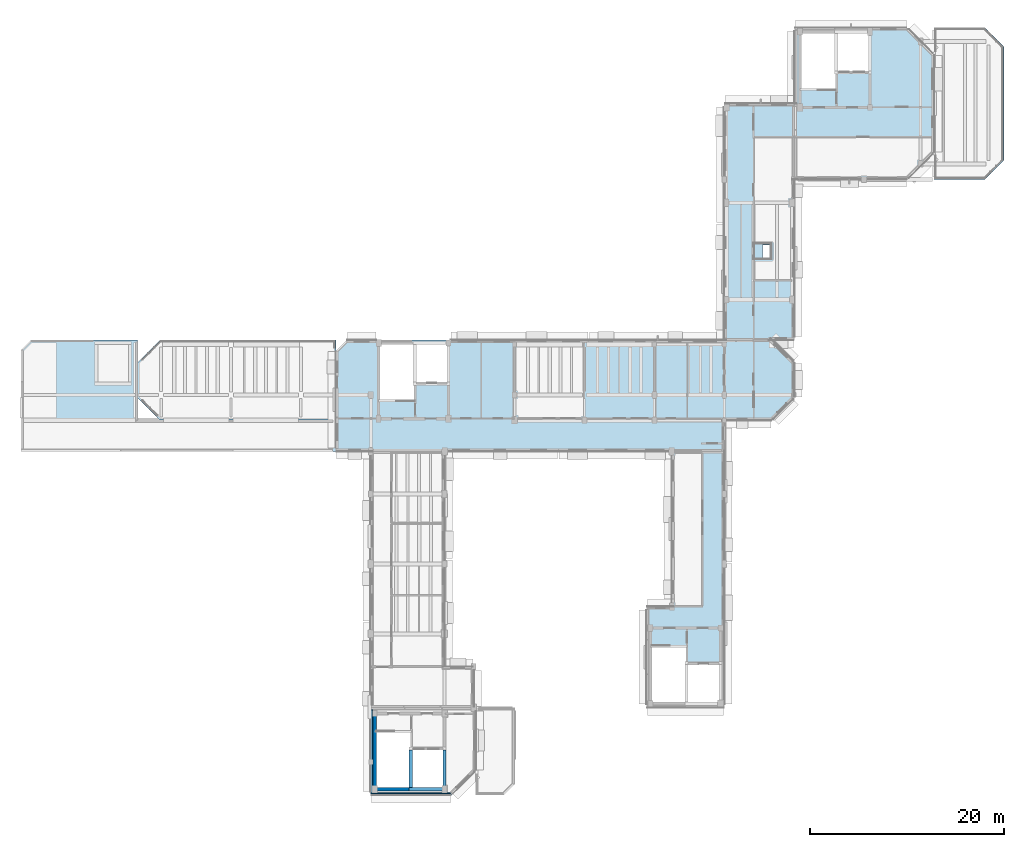
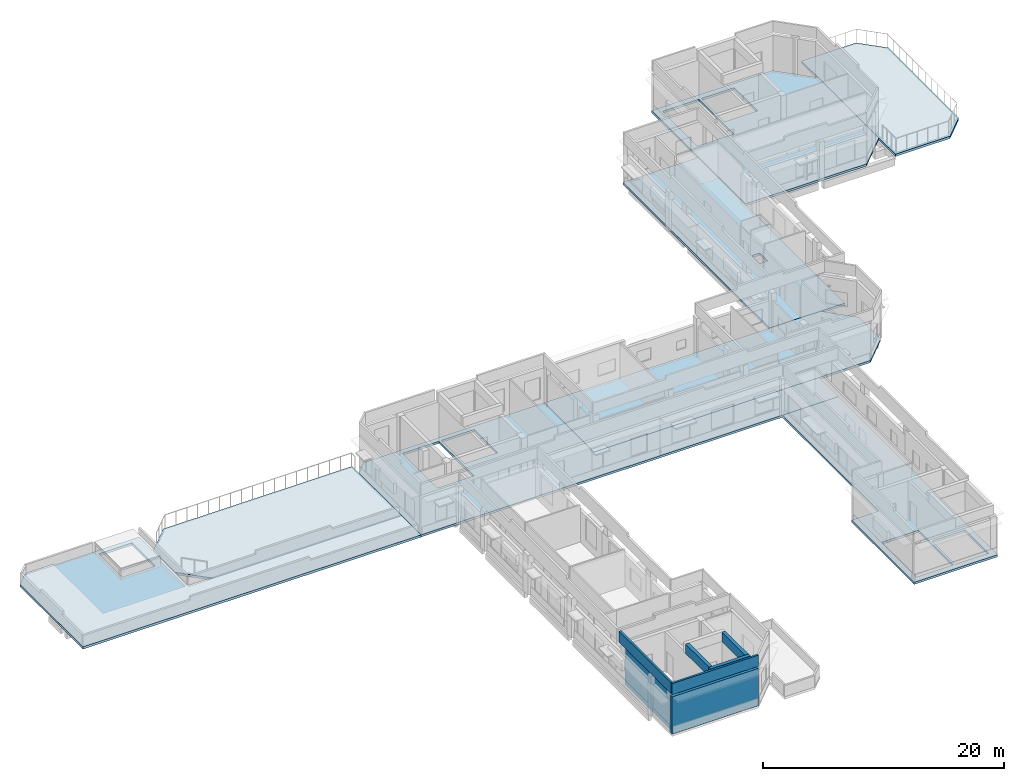
# One storey, part 5 of 17: 8 slabs, 8 walls.
"""IFC4 building model written with IfcOpenShell, lengths in metres."""

from ifc_helpers import new_model, si_unit, direction, frame, frame_2d, origin, place, context, subcontext, project, spatial, polyline, rectangle, outline, extrude, material, layer, layer_set, type_object, element, save


model = new_model("IFC4")

# Units and contexts
model_context = context("Model", 3, precision=1e-05, world=origin(), true_north=direction((0.0, 1.0)))
body_context = subcontext(model_context, "Body", "Model", "MODEL_VIEW")
ifc_project = project(units=[si_unit("LENGTHUNIT", "METRE"), si_unit("AREAUNIT", "SQUARE_METRE"), si_unit("VOLUMEUNIT", "CUBIC_METRE"), si_unit("PLANEANGLEUNIT", "RADIAN"), si_unit("MASSUNIT", "GRAM", prefix="KILO")], contexts=[model_context])

# Site, building, storey
site_placement = place(None, origin())
site = spatial("IfcSite", under=ifc_project, at=site_placement, CompositionType="ELEMENT")
building_placement = place(site_placement, origin())
building = spatial("IfcBuilding", under=site, at=building_placement, Name="Kelanivale Promenade Academy", CompositionType="ELEMENT")
storey_placement = place(building_placement, frame((0.0, 0.0, 20.199951171875)))
storey = spatial("IfcBuildingStorey", under=building, at=storey_placement, Name="L05", CompositionType="ELEMENT", Elevation=20.199951171875)

# Slabs
ifc_material_1 = material(Name="Concrete C35/45", Category="concrete")
ifc_layer_1 = layer(ifc_material_1, 0.219970703125)
ifc_layer_set_1 = layer_set([ifc_layer_1], Name="Concrete C35/45")
slab_type_1 = type_object("IfcSlabType", Name="FS-01 Slab 220mm", PredefinedType="FLOOR", material=ifc_layer_set_1)
slab_1_placement = place(storey_placement, frame((0.0, 0.0, -0.219970703125)))
element("IfcSlab", 1, at=slab_1_placement, inside=storey, type_object=slab_type_1, Name="L05 structural slab SLB-L05-V4EC", PredefinedType="FLOOR", context=body_context, shape_type="SweptSolid", body=[
    extrude(outline(polyline([(107.60009765625, 52.39990234375), (107.60009765625, 42.0), (115.60009765625, 42.0), (115.60009765625, 68.39990234375), (110.199951171875, 68.39990234375), (110.199951171875, 52.39990234375), (107.60009765625, 52.39990234375)]), holes=[polyline([(115.034912109375, 42.56494140625), (111.885009765625, 42.56494140625), (111.885009765625, 46.425048828125), (115.034912109375, 46.425048828125), (115.034912109375, 42.56494140625)]), polyline([(111.6650390625, 48.344970703125), (111.6650390625, 42.56494140625), (108.1650390625, 42.56494140625), (108.1650390625, 48.344970703125), (111.6650390625, 48.344970703125)])]), origin(), (0.0, 0.0, 1.0), 0.219970703125),
])
slab_2_placement = place(storey_placement, frame((0.0, 0.0, -0.219970703125)))
element("IfcSlab", 2, at=slab_2_placement, inside=storey, type_object=slab_type_1, Name="L05 structural slab SLB-L05-V4N", PredefinedType="FLOOR", context=body_context, shape_type="SweptSolid", body=[
    extrude(outline(polyline([(75.60009765625, 68.39990234375), (115.60009765625, 68.39990234375), (115.60009765625, 71.60009765625), (94.0, 71.60009765625), (94.0, 79.85009765625), (76.699951171875, 79.85009765625), (75.60009765625, 78.75), (75.60009765625, 68.39990234375)]), holes=[polyline([(83.885009765625, 79.385009765625), (87.034912109375, 79.385009765625), (87.034912109375, 75.52490234375), (83.885009765625, 75.52490234375), (83.885009765625, 79.385009765625)]), polyline([(83.6650390625, 79.385009765625), (83.6650390625, 73.60498046875), (80.1650390625, 73.60498046875), (80.1650390625, 79.385009765625), (83.6650390625, 79.385009765625)])]), origin(), (0.0, 0.0, 1.0), 0.219970703125),
])
slab_3_placement = place(storey_placement, frame((0.0, 0.0, -0.219970703125)))
element("IfcSlab", 3, at=slab_3_placement, inside=storey, type_object=slab_type_1, Name="L05 structural slab SLB-L05-V5C", PredefinedType="FLOOR", context=body_context, shape_type="SweptSolid", body=[
    extrude(outline(polyline([(94.0, 79.85009765625), (94.0, 71.60009765625), (120.489990234375, 71.60009765625), (122.800048828125, 73.909912109375), (122.800048828125, 77.5400390625), (120.489990234375, 79.85009765625), (94.0, 79.85009765625)])), origin(), (0.0, 0.0, 1.0), 0.219970703125),
])
slab_4_placement = place(storey_placement, frame((0.0, 0.0, -0.219970703125)))
element("IfcSlab", 4, at=slab_4_placement, inside=storey, type_object=slab_type_1, Name="L05 structural slab SLB-L05-V5K", PredefinedType="FLOOR", context=body_context, shape_type="SweptSolid", body=[
    extrude(outline(polyline([(122.800048828125, 79.85009765625), (122.800048828125, 104.199951171875), (115.60009765625, 104.199951171875), (115.60009765625, 79.85009765625), (122.800048828125, 79.85009765625)]), holes=[polyline([(120.320068359375, 89.64990234375), (120.320068359375, 88.35009765625), (119.550048828125, 88.35009765625), (119.550048828125, 89.64990234375), (120.320068359375, 89.64990234375)])]), origin(), (0.0, 0.0, 1.0), 0.219970703125),
])
slab_5_placement = place(storey_placement, frame((0.0, 0.0, -0.219970703125)))
element("IfcSlab", 5, at=slab_5_placement, inside=storey, type_object=slab_type_1, Name="L05 structural slab SLB-L05-V5M", PredefinedType="FLOOR", context=body_context, shape_type="SweptSolid", body=[
    extrude(outline(polyline([(122.85009765625, 112.0), (122.85009765625, 96.39990234375), (134.44091796875, 96.39990234375), (137.199951171875, 99.158935546875), (137.199951171875, 109.240966796875), (134.44091796875, 112.0), (122.85009765625, 112.0)]), holes=[polyline([(127.284912109375, 111.43505859375), (130.43505859375, 111.43505859375), (130.43505859375, 107.574951171875), (127.284912109375, 107.574951171875), (127.284912109375, 111.43505859375)]), polyline([(127.06494140625, 111.43505859375), (127.06494140625, 105.655029296875), (123.56494140625, 105.655029296875), (123.56494140625, 111.43505859375), (127.06494140625, 111.43505859375)])]), origin(), (0.0, 0.0, 1.0), 0.219970703125),
])
ifc_layer_2 = layer(ifc_material_1, 0.235107421875)
ifc_layer_set_2 = layer_set([ifc_layer_2], Name="Concrete C35/45")
slab_type_2 = type_object("IfcSlabType", Name="PD-01 Slab 235mm", PredefinedType="FLOOR", material=ifc_layer_set_2)
slab_6_placement = place(storey_placement, frame((0.0, 0.0, -0.23486328125)))
element("IfcSlab", 6, at=slab_6_placement, inside=storey, type_object=slab_type_2, Name="West Sixth Form Rooftop Play Deck", PredefinedType="FLOOR", context=body_context, shape_type="SweptSolid", body=[
    extrude(outline(polyline([(57.510009765625, 71.60009765625), (75.60009765625, 71.60009765625), (75.60009765625, 79.85009765625), (57.510009765625, 79.85009765625), (55.199951171875, 77.5400390625), (55.199951171875, 73.909912109375), (57.510009765625, 71.60009765625)])), origin(), (0.0, 0.0, 1.0), 0.23486328125),
])
slab_7_placement = place(storey_placement, frame((0.0, 0.0, -0.23486328125)))
element("IfcSlab", 7, at=slab_7_placement, inside=storey, type_object=slab_type_2, Name="Science Roof Observation Play Deck", PredefinedType="FLOOR", context=body_context, shape_type="SweptSolid", body=[
    extrude(outline(polyline([(142.446044921875, 96.39990234375), (144.39990234375, 98.35400390625), (144.39990234375, 110.0458984375), (142.446044921875, 112.0), (137.199951171875, 112.0), (137.199951171875, 96.39990234375), (142.446044921875, 96.39990234375)])), origin(), (0.0, 0.0, 1.0), 0.23486328125),
])
ifc_layer_3 = layer(ifc_material_1, 0.239990234375)
ifc_layer_set_3 = layer_set([ifc_layer_3], Name="Concrete C35/45")
slab_type_3 = type_object("IfcSlabType", Name="RS-01 Slab 240mm", PredefinedType="ROOF", material=ifc_layer_set_3)
slab_8_placement = place(storey_placement, frame((0.0, 0.0, -0.239990234375)))
element("IfcSlab", 8, at=slab_8_placement, inside=storey, type_object=slab_type_3, Name="L05 planted roof slab RF-L05-NW", PredefinedType="ROOF", context=body_context, shape_type="SweptSolid", body=[
    extrude(outline(polyline([(43.199951171875, 78.85009765625), (43.199951171875, 68.39990234375), (75.60009765625, 68.39990234375), (75.60009765625, 71.60009765625), (55.199951171875, 71.60009765625), (55.199951171875, 79.85009765625), (44.199951171875, 79.85009765625), (43.199951171875, 78.85009765625)]), holes=[polyline([(54.235107421875, 75.52490234375), (51.0849609375, 75.52490234375), (51.0849609375, 79.385009765625), (54.235107421875, 79.385009765625), (54.235107421875, 75.52490234375)])]), origin(), (0.0, 0.0, 1.0), 0.239990234375),
])

# Walls
ifc_material_2 = material(Name="Concrete C40/50", Category="concrete")
ifc_layer_4 = layer(ifc_material_2, 0.330078125)
ifc_layer_set_4 = layer_set([ifc_layer_4], Name="Concrete C40/50")
wall_type_1 = type_object("IfcWallType", Name="CW-S1 Wall 330mm", PredefinedType="SHEAR", material=ifc_layer_set_4)
wall_1_placement = place(storey_placement, frame((79.43505859375, 33.60009765625, 0.0), z_axis=(0.0, 0.0, 1.0), x_axis=(1.0, 0.0, 0.0)))
element("IfcWall", 9, at=wall_1_placement, inside=storey, type_object=wall_type_1, Name="CORE-1 RC shear wall S L05", PredefinedType="SHEAR", context=body_context, shape_type="SweptSolid", body=[
    extrude(rectangle(XDim=7.530029296875, YDim=0.330078125, at=frame_2d((3.76513671875, 0.0))), origin(), (0.0, 0.0, 1.0), 4.0),
])
wall_2_placement = place(storey_placement, frame((79.60009765625, 33.764892578125, 0.0), z_axis=(0.0, 0.0, 1.0), x_axis=(0.0, 1.0, 0.0)))
element("IfcWall", 10, at=wall_2_placement, inside=storey, type_object=wall_type_1, Name="CORE-1 RC shear wall W L05", PredefinedType="SHEAR", context=body_context, shape_type="SweptSolid", body=[
    extrude(rectangle(XDim=7.47021484375, YDim=0.330078125, at=frame_2d((3.735107421875, 0.0))), origin(), (0.0, 0.0, 1.0), 4.0),
])
wall_3_placement = place(storey_placement, frame((83.155029296875, 33.60009765625, 4.0), z_axis=(0.0, 0.0, 1.0), x_axis=(1.0, 0.0, 0.0)))
element("IfcWall", 11, at=wall_3_placement, inside=storey, type_object=wall_type_1, Name="CORE-1 lift overrun shaft wall S", PredefinedType="SHEAR", context=body_context, shape_type="SweptSolid", body=[
    extrude(rectangle(XDim=3.81005859375, YDim=0.330078125, at=frame_2d((1.905029296875, 0.0))), origin(), (0.0, 0.0, 1.0), 0.9599609375),
])
for number, where, z_axis, x_axis, name in (
    (12, (83.320068359375, 33.764892578125, 4.0), (0.0, 0.0, 1.0), (0.0, 1.0, 0.0), "CORE-1 lift overrun shaft wall W"),
    (13, (86.800048828125, 33.764892578125, 4.0), (0.0, 0.0, 1.0), (0.0, 1.0, 0.0), "CORE-1 lift overrun shaft wall E"),
):
    element("IfcWall", number, at=place(storey_placement, frame(where, z_axis=z_axis, x_axis=x_axis)), inside=storey, type_object=wall_type_1, Name=name, PredefinedType="SHEAR", context=body_context, shape_type="SweptSolid", body=[
        extrude(rectangle(XDim=3.860107421875, YDim=0.330078125, at=frame_2d((1.93017578125, 0.0))), origin(), (0.0, 0.0, 1.0), 0.9599609375),
    ])
ifc_material_3 = material(Name="Insulated ivory stucco masonry wall 280 mm", Category="masonry")
ifc_layer_5 = layer(ifc_material_3, 0.280029296875)
ifc_layer_set_5 = layer_set([ifc_layer_5], Name="Insulated ivory stucco masonry wall 280 mm")
wall_type_2 = type_object("IfcWallType", Name="EW-02 Wall 280mm", PredefinedType="SOLIDWALL", material=ifc_layer_set_5)
wall_4_placement = place(storey_placement, frame((79.199951171875, 33.139892578125, 0.0), z_axis=(0.0, 0.0, 1.0), x_axis=(1.0, 0.0, 0.0)))
element("IfcWall", 14, at=wall_4_placement, inside=storey, type_object=wall_type_2, Name="L05 exterior facade wall EW-L05-ORT-0592", PredefinedType="SOLIDWALL", context=body_context, shape_type="SweptSolid", body=[
    extrude(rectangle(XDim=8.278076171875, YDim=0.280029296875, at=frame_2d((4.13916015625, 0.0))), origin(), (0.0, 0.0, 1.0), 3.780029296875),
])
ifc_material_4 = material(Name="Precast concrete C40/50", Category="concrete")
ifc_layer_6 = layer(ifc_material_4, 0.195068359375)
ifc_layer_set_6 = layer_set([ifc_layer_6], Name="Precast concrete C40/50")
wall_type_3 = type_object("IfcWallType", Name="PW-01 Wall 195mm", PredefinedType="PARAPET", material=ifc_layer_set_6)
wall_5_placement = place(storey_placement, frame((79.298095703125, 41.804931640625, 4.0), z_axis=(0.0, 0.0, 1.0), x_axis=(0.0, -1.0, 0.0)))
element("IfcWall", 15, at=wall_5_placement, inside=storey, type_object=wall_type_3, Name="RF stepped Art Deco roof parapet", PredefinedType="PARAPET", context=body_context, shape_type="SweptSolid", body=[
    extrude(rectangle(XDim=8.60986328125, YDim=0.195068359375, at=frame_2d((4.304931640625, 0.0))), origin(), (0.0, 0.0, 1.0), 1.1201171875),
])
wall_6_placement = place(storey_placement, frame((79.200927734375, 33.097900390625, 4.0), z_axis=(0.0, 0.0, 1.0), x_axis=(1.0, 0.0, 0.0)))
element("IfcWall", 16, at=wall_6_placement, inside=storey, type_object=wall_type_3, Name="RF stepped Art Deco roof parapet", PredefinedType="PARAPET", context=body_context, shape_type="SweptSolid", body=[
    extrude(rectangle(XDim=8.277099609375, YDim=0.195068359375, at=frame_2d((4.138671875, 0.0))), origin(), (0.0, 0.0, 1.0), 1.1201171875),
])

save(model, "model.ifc")
